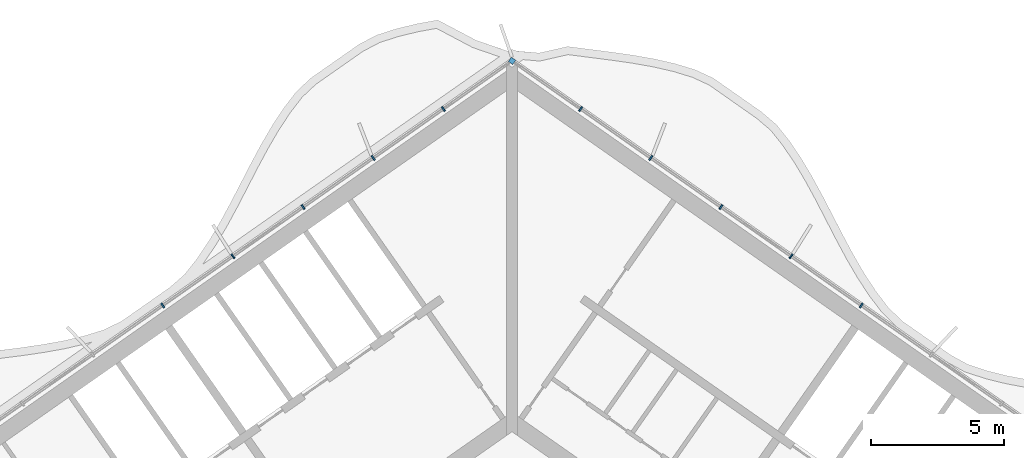
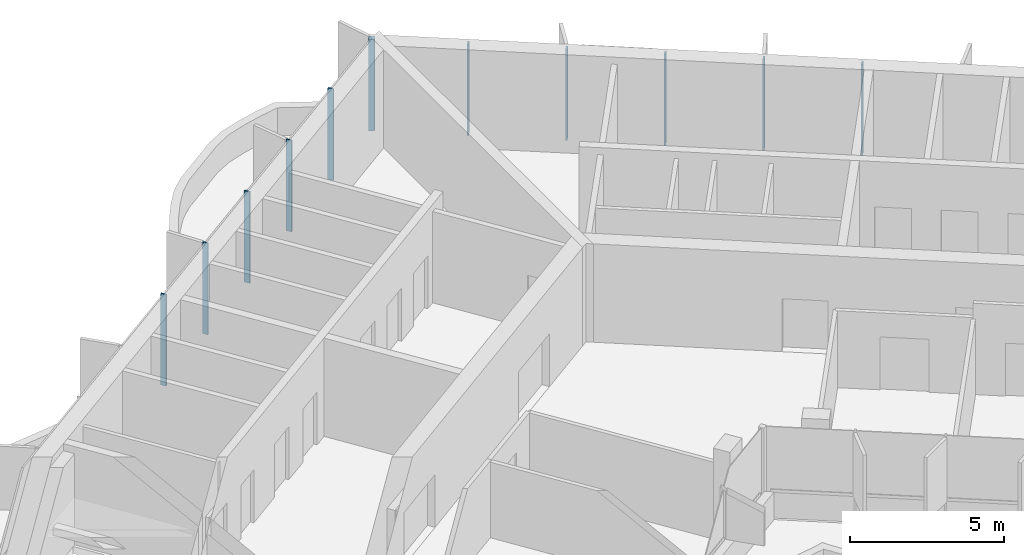
# One storey, part 6 of 17: 11 members, 1 element without a shape of its own.
"""IFC4 building model written with IfcOpenShell, lengths in metres."""

from ifc_helpers import new_model, si_unit, direction, frame, origin, origin_2d, place, context, subcontext, project, spatial, rectangle, extrude, material, material_profile, profile_set, type_object, element, aggregate, save


model = new_model("IFC4")

# Units and contexts
model_context = context("Model", 3, precision=1e-05, world=origin(), true_north=direction((0.0, 1.0)))
body_context = subcontext(model_context, "Body", "Model", "MODEL_VIEW")
ifc_project = project(units=[si_unit("LENGTHUNIT", "METRE"), si_unit("AREAUNIT", "SQUARE_METRE"), si_unit("VOLUMEUNIT", "CUBIC_METRE"), si_unit("PLANEANGLEUNIT", "RADIAN"), si_unit("MASSUNIT", "GRAM", prefix="KILO")], contexts=[model_context])

# Site, building, storey
site_placement = place(None, origin())
site = spatial("IfcSite", under=ifc_project, at=site_placement, CompositionType="ELEMENT")
building_placement = place(site_placement, origin())
building = spatial("IfcBuilding", under=site, at=building_placement, Name="Tel Ilan Convention Tower", CompositionType="ELEMENT")
storey_placement = place(building_placement, frame((0.0, 0.0, 280.0)))
storey = spatial("IfcBuildingStorey", under=building, at=storey_placement, Name="L66", CompositionType="ELEMENT", Elevation=280.0)

# Curtain wall, members
ifc_material_1 = material(Name="Aluminium, bronze anodised", Category="aluminium")
curtain_wall_type = type_object("IfcCurtainWallType", Name="CW2 STICK CURTAIN WALL, SPANDREL PANELS", PredefinedType="NOTDEFINED", material=ifc_material_1)
curtain_wall_placement = place(storey_placement, origin())
curtain_wall = element("IfcCurtainWall", 1, at=curtain_wall_placement, inside=storey, type_object=curtain_wall_type, Name="Curtain wall CW2-50.01", PredefinedType="NOTDEFINED")
ifc_material_2 = material(Name="Aluminium, bronze anodised", Category="aluminium")
ifc_material_profile_1 = material_profile(ifc_material_2, rectangle(XDim=0.199951171875, YDim=0.199951171875, at=origin_2d()), Name="CW CORNER MULLION 200x200")
ifc_profile_set_1 = profile_set([ifc_material_profile_1], Name="Aluminium, bronze anodised")
member_type_1 = type_object("IfcMemberType", Name="CW CORNER MULLION 200x200", PredefinedType="MULLION", material=ifc_profile_set_1)
member_1_placement = place(storey_placement, frame((0.0, 12.696044921875, 0.0), z_axis=(0.0, 0.0, 1.0), x_axis=(-0.819152044289, 0.573576436351, 0.0)))
member_1 = element("IfcMember", 2, at=member_1_placement, type_object=member_type_1, Name="Corner mullion", PredefinedType="MULLION", context=body_context, shape_type="SweptSolid", body=[
    extrude(rectangle(XDim=0.199951171875, YDim=0.199951171875, at=origin_2d()), origin(), (0.0, 0.0, 1.0), 3.6201171875),
])
ifc_material_3 = material(Name="Aluminium, bronze anodised", Category="aluminium")
ifc_material_profile_2 = material_profile(ifc_material_3, rectangle(XDim=0.06005859375, YDim=0.199951171875, at=origin_2d()), Name="CW MULLION 60x200")
ifc_profile_set_2 = profile_set([ifc_material_profile_2], Name="Aluminium, bronze anodised")
member_type_2 = type_object("IfcMemberType", Name="CW MULLION 60x200", PredefinedType="MULLION", material=ifc_profile_set_2)
member_2_placement = place(storey_placement, frame((13.105712890625, 3.519287109375, 0.0), z_axis=(0.0, 0.0, 1.0), x_axis=(-0.819152044289, 0.573576436351, 0.0)))
member_2 = element("IfcMember", 3, at=member_2_placement, type_object=member_type_2, Name="Mullion", PredefinedType="MULLION", context=body_context, shape_type="SweptSolid", body=[
    extrude(rectangle(XDim=0.06005859375, YDim=0.199951171875, at=origin_2d()), origin(), (0.0, 0.0, 1.0), 3.6201171875),
])
member_3_placement = place(storey_placement, frame((10.47314453125, 5.36279296875, 0.0), z_axis=(0.0, 0.0, 1.0), x_axis=(-0.819152044289, 0.573576436351, 0.0)))
member_3 = element("IfcMember", 4, at=member_3_placement, type_object=member_type_2, Name="Mullion", PredefinedType="MULLION", context=body_context, shape_type="SweptSolid", body=[
    extrude(rectangle(XDim=0.06005859375, YDim=0.199951171875, at=origin_2d()), origin(), (0.0, 0.0, 1.0), 3.6201171875),
])
member_4_placement = place(storey_placement, frame((7.840576171875, 7.2060546875, 0.0), z_axis=(0.0, 0.0, 1.0), x_axis=(-0.819152044289, 0.573576436351, 0.0)))
member_4 = element("IfcMember", 5, at=member_4_placement, type_object=member_type_2, Name="Mullion", PredefinedType="MULLION", context=body_context, shape_type="SweptSolid", body=[
    extrude(rectangle(XDim=0.06005859375, YDim=0.199951171875, at=origin_2d()), origin(), (0.0, 0.0, 1.0), 3.6201171875),
])
member_5_placement = place(storey_placement, frame((5.207763671875, 9.049560546875, 0.0), z_axis=(0.0, 0.0, 1.0), x_axis=(-0.819152044289, 0.573576436351, 0.0)))
member_5 = element("IfcMember", 6, at=member_5_placement, type_object=member_type_2, Name="Mullion", PredefinedType="MULLION", context=body_context, shape_type="SweptSolid", body=[
    extrude(rectangle(XDim=0.06005859375, YDim=0.199951171875, at=origin_2d()), origin(), (0.0, 0.0, 1.0), 3.6201171875),
])
member_6_placement = place(storey_placement, frame((2.5751953125, 10.892822265625, 0.0), z_axis=(0.0, 0.0, 1.0), x_axis=(-0.819152044289, 0.573576436351, 0.0)))
member_6 = element("IfcMember", 7, at=member_6_placement, type_object=member_type_2, Name="Mullion", PredefinedType="MULLION", context=body_context, shape_type="SweptSolid", body=[
    extrude(rectangle(XDim=0.06005859375, YDim=0.199951171875, at=origin_2d()), origin(), (0.0, 0.0, 1.0), 3.6201171875),
])
member_7_placement = place(storey_placement, frame((-2.5751953125, 10.892822265625, 0.0), z_axis=(0.0, 0.0, 1.0), x_axis=(-0.819152044289, -0.573576436351, 0.0)))
member_7 = element("IfcMember", 8, at=member_7_placement, type_object=member_type_2, Name="Mullion", PredefinedType="MULLION", context=body_context, shape_type="SweptSolid", body=[
    extrude(rectangle(XDim=0.06005859375, YDim=0.199951171875, at=origin_2d()), origin(), (0.0, 0.0, 1.0), 3.6201171875),
])
member_8_placement = place(storey_placement, frame((-5.207763671875, 9.049560546875, 0.0), z_axis=(0.0, 0.0, 1.0), x_axis=(-0.819152044289, -0.573576436351, 0.0)))
member_8 = element("IfcMember", 9, at=member_8_placement, type_object=member_type_2, Name="Mullion", PredefinedType="MULLION", context=body_context, shape_type="SweptSolid", body=[
    extrude(rectangle(XDim=0.06005859375, YDim=0.199951171875, at=origin_2d()), origin(), (0.0, 0.0, 1.0), 3.6201171875),
])
member_9_placement = place(storey_placement, frame((-7.840576171875, 7.2060546875, 0.0), z_axis=(0.0, 0.0, 1.0), x_axis=(-0.819152044289, -0.573576436351, 0.0)))
member_9 = element("IfcMember", 10, at=member_9_placement, type_object=member_type_2, Name="Mullion", PredefinedType="MULLION", context=body_context, shape_type="SweptSolid", body=[
    extrude(rectangle(XDim=0.06005859375, YDim=0.199951171875, at=origin_2d()), origin(), (0.0, 0.0, 1.0), 3.6201171875),
])
member_10_placement = place(storey_placement, frame((-10.47314453125, 5.36279296875, 0.0), z_axis=(0.0, 0.0, 1.0), x_axis=(-0.819152044289, -0.573576436351, 0.0)))
member_10 = element("IfcMember", 11, at=member_10_placement, type_object=member_type_2, Name="Mullion", PredefinedType="MULLION", context=body_context, shape_type="SweptSolid", body=[
    extrude(rectangle(XDim=0.06005859375, YDim=0.199951171875, at=origin_2d()), origin(), (0.0, 0.0, 1.0), 3.6201171875),
])
member_11_placement = place(storey_placement, frame((-13.105712890625, 3.519287109375, 0.0), z_axis=(0.0, 0.0, 1.0), x_axis=(-0.819152044289, -0.573576436351, 0.0)))
member_11 = element("IfcMember", 12, at=member_11_placement, type_object=member_type_2, Name="Mullion", PredefinedType="MULLION", context=body_context, shape_type="SweptSolid", body=[
    extrude(rectangle(XDim=0.06005859375, YDim=0.199951171875, at=origin_2d()), origin(), (0.0, 0.0, 1.0), 3.6201171875),
])
aggregate(curtain_wall, [member_2, member_3, member_4, member_5, member_6, member_1, member_7, member_8, member_9, member_10, member_11])

save(model, "model.ifc")
